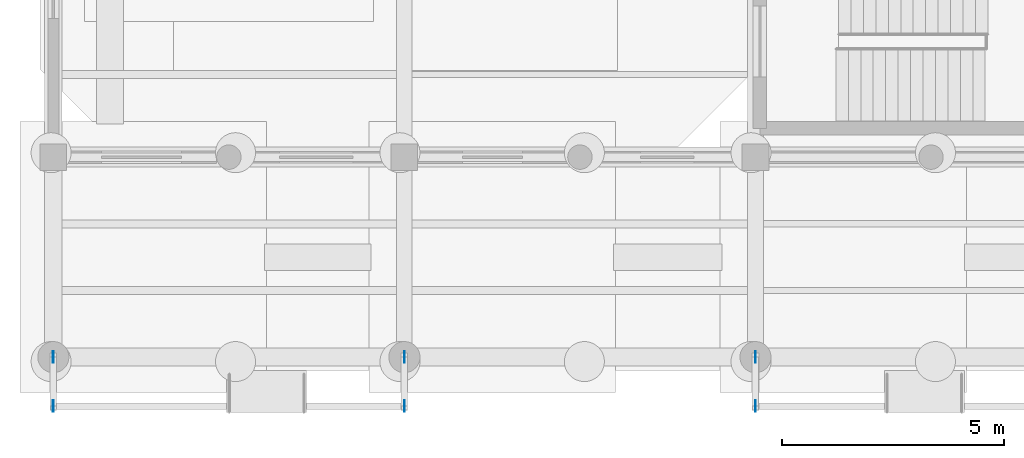
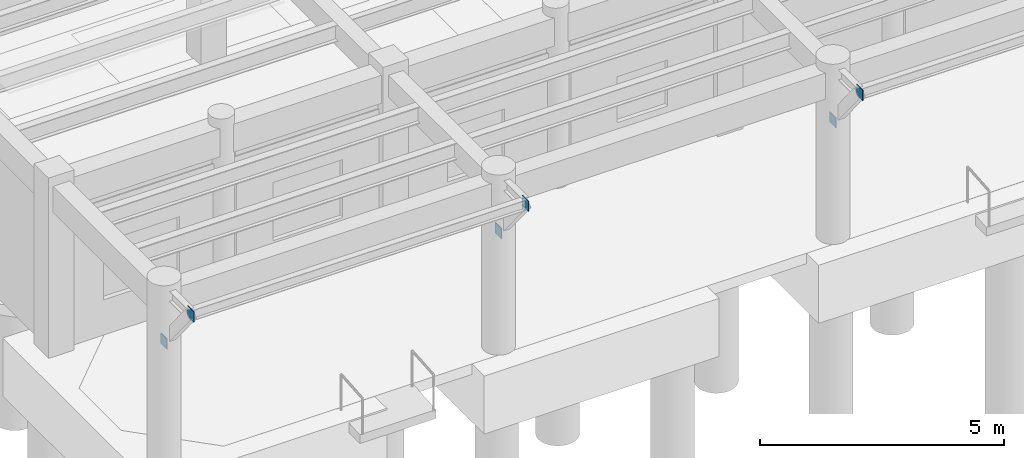
# One storey, part 20 of 41: 6 plates.
"""IFC4 building model written with IfcOpenShell, lengths in metres."""

from ifc_helpers import new_model, si_unit, direction, frame, origin, origin_2d, place, context, subcontext, project, spatial, rectangle, extrude, material, layer, layer_set, type_object, element, save


model = new_model("IFC4")

# Units and contexts
model_context = context("Model", 3, precision=1e-05, world=origin(), true_north=direction((0.0, 1.0)))
body_context = subcontext(model_context, "Body", "Model", "MODEL_VIEW")
ifc_project = project(units=[si_unit("LENGTHUNIT", "METRE"), si_unit("AREAUNIT", "SQUARE_METRE"), si_unit("VOLUMEUNIT", "CUBIC_METRE"), si_unit("PLANEANGLEUNIT", "RADIAN"), si_unit("MASSUNIT", "GRAM", prefix="KILO")], contexts=[model_context])

# Site, building, storey
site_placement = place(None, origin())
site = spatial("IfcSite", under=ifc_project, at=site_placement, CompositionType="ELEMENT")
building_placement = place(site_placement, origin())
building = spatial("IfcBuilding", under=site, at=building_placement, Name="Candilejo Ridge Gondola Terminal", CompositionType="ELEMENT")
storey_placement = place(building_placement, origin())
storey = spatial("IfcBuildingStorey", under=building, at=storey_placement, Name="L00", CompositionType="ELEMENT", Elevation=0.0)

# Plates
ifc_material = material(Name="Steel ASTM A572 Grade 50", Category="steel")
ifc_layer = layer(ifc_material, 0.01611328125)
ifc_layer_set = layer_set([ifc_layer], Name="STR-NODE-PLATE-260X260X16")
plate_type = type_object("IfcPlateType", Name="STR-NODE-PLATE-260X260X16", PredefinedType="USERDEFINED", material=ifc_layer_set)
for number, where, z_axis, x_axis, name in (
    (1, (4.300048828125, 6.300048828125, 2.7412109375), (0.0, 0.0, 1.0), (1.0, 0.0, 0.0), "Canopy strut gusset plate 001"),
    (2, (4.300048828125, 5.199951171875, 4.0908203125), (0.0, 0.0, 1.0), (1.0, 0.0, 0.0), "Canopy strut gusset plate 002"),
    (3, (12.199951171875, 6.300048828125, 2.7412109375), (0.0, 0.0, 1.0), (1.0, 0.0, 0.0), "Canopy strut gusset plate 003"),
    (4, (12.199951171875, 5.199951171875, 4.0908203125), (0.0, 0.0, 1.0), (1.0, 0.0, 0.0), "Canopy strut gusset plate 004"),
    (5, (20.10009765625, 6.300048828125, 2.7412109375), (0.0, 0.0, 1.0), (1.0, 0.0, 0.0), "Canopy strut gusset plate 005"),
    (6, (20.10009765625, 5.199951171875, 4.0908203125), (0.0, 0.0, 1.0), (1.0, 0.0, 0.0), "Canopy strut gusset plate 006"),
):
    element("IfcPlate", number, at=place(storey_placement, frame(where, z_axis=z_axis, x_axis=x_axis)), inside=storey, type_object=plate_type, Name=name, ObjectType="NODE PLATE", PredefinedType="USERDEFINED", context=body_context, shape_type="SweptSolid", body=[
        extrude(rectangle(XDim=0.01611328125, YDim=0.260009765625, at=origin_2d()), origin(), (0.0, 0.0, 1.0), 0.260009765625),
    ])

save(model, "model.ifc")
